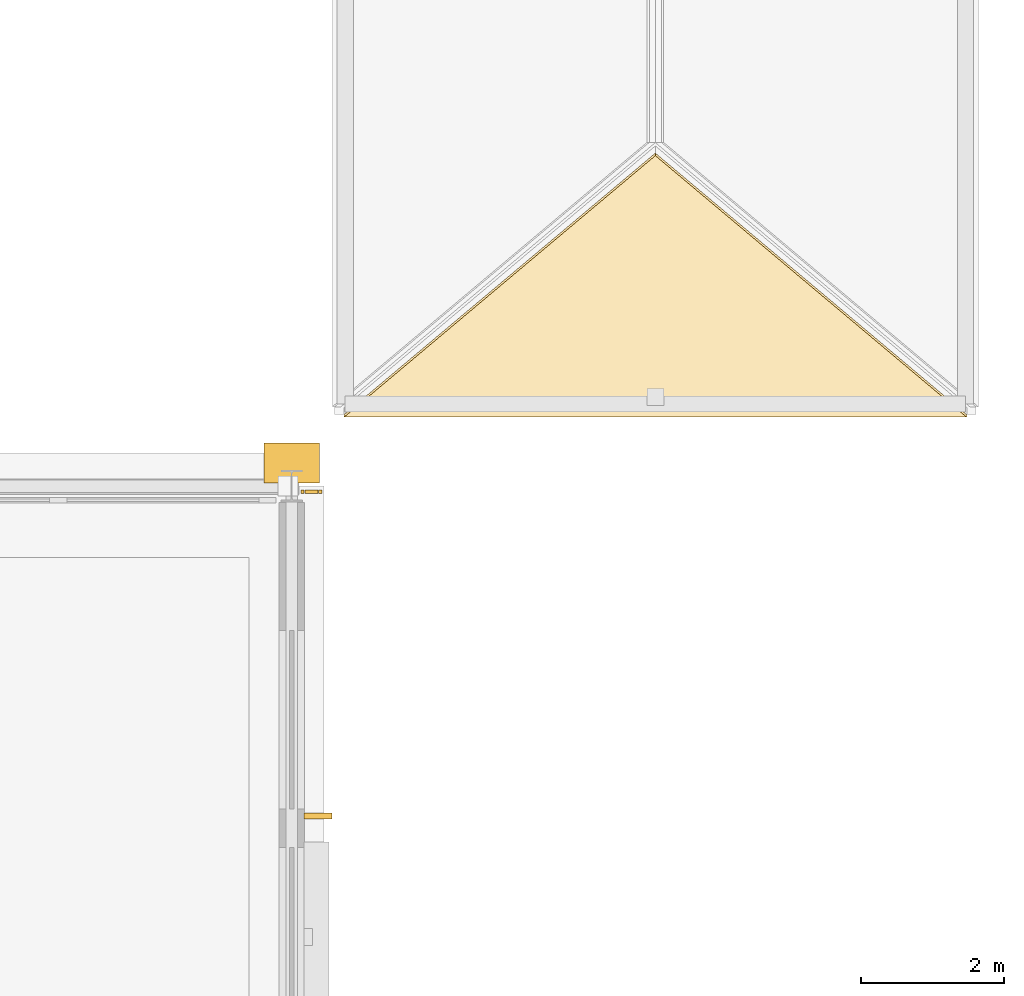
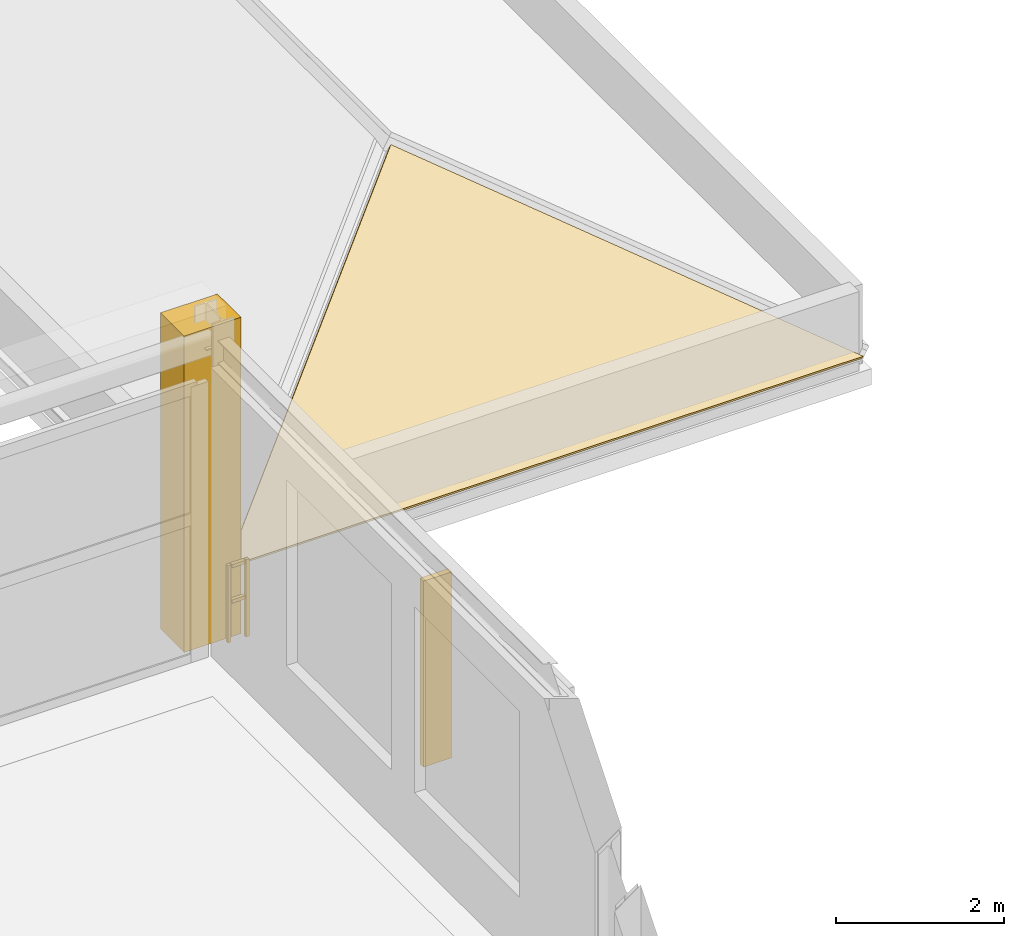
# One storey, part 117 of 125: 2 coverings, 1 railing, 1 shading device.
"""IFC4 building model written with IfcOpenShell, lengths in metres."""

from ifc_helpers import new_model, si_unit, direction, frame, origin, origin_2d, place, context, subcontext, project, spatial, polyline, rectangle, outline, extrude, material, layer, layer_set, type_object, element, save


model = new_model("IFC4")

# Units and contexts
model_context = context("Model", 3, precision=1e-05, world=origin(), true_north=direction((0.0, 1.0)))
body_context = subcontext(model_context, "Body", "Model", "MODEL_VIEW")
ifc_project = project(units=[si_unit("LENGTHUNIT", "METRE"), si_unit("AREAUNIT", "SQUARE_METRE"), si_unit("VOLUMEUNIT", "CUBIC_METRE"), si_unit("PLANEANGLEUNIT", "RADIAN"), si_unit("MASSUNIT", "GRAM", prefix="KILO")], contexts=[model_context])

# Site, building, storey
site_placement = place(None, origin())
site = spatial("IfcSite", under=ifc_project, at=site_placement, CompositionType="ELEMENT")
building_placement = place(site_placement, origin())
building = spatial("IfcBuilding", under=site, at=building_placement, Name="Myrtia Square Station", CompositionType="ELEMENT")
storey_placement = place(building_placement, frame((0.0, 0.0, 6.0)))
storey = spatial("IfcBuildingStorey", under=building, at=storey_placement, Name="L01", CompositionType="ELEMENT", Elevation=6.0)

# Coverings
ifc_material_1 = material(Name="Pentelic marble ashlar", Category="masonry")
ifc_layer_1 = layer(ifc_material_1, 0.4599609375, Name="Pentelic marble ashlar")
ifc_layer_set_1 = layer_set([ifc_layer_1], Name="Pentelic marble ashlar")
covering_type_1 = type_object("IfcCoveringType", Name="COV-ARCH-ASHLAR", PredefinedType="CLADDING", material=ifc_layer_set_1)
covering_1_placement = place(storey_placement, frame((179.39990234375, 38.719970703125, -0.0400390625), z_axis=(0.0, 0.0, 1.0), x_axis=(1.0, 0.0, 0.0)))
element("IfcCovering", 1, at=covering_1_placement, inside=storey, type_object=covering_type_1, Name="Classical Pentelic ashlar pilaster 050", PredefinedType="CLADDING", context=body_context, shape_type="SweptSolid", body=[
    extrude(rectangle(XDim=0.780029296875, YDim=0.56005859375, at=origin_2d()), origin(), (0.0, 0.0, 1.0), 4.590087890625),
])
ifc_material_2 = material(Name="Terracotta clay barrel tiles", Category="masonry")
ifc_layer_2 = layer(ifc_material_2, 0.06494140625, Name="Terracotta clay barrel tiles")
ifc_layer_set_2 = layer_set([ifc_layer_2], Name="Terracotta clay barrel tiles")
covering_type_2 = type_object("IfcCoveringType", Name="COV-TILE-TERRACOTTA", PredefinedType="ROOFING", material=ifc_layer_set_2)
covering_2_placement = place(storey_placement, frame((180.132080078125, 39.36474609375, 0.24658203125), z_axis=(0.0, -0.543605548136, 0.839340817568), x_axis=(1.0, 0.0, 0.0)))
element("IfcCovering", 2, at=covering_2_placement, inside=storey, type_object=covering_type_2, Name="Terracotta clay barrel-tile roofing 097", PredefinedType="ROOFING", context=body_context, shape_type="SweptSolid", body=[
    extrude(outline(polyline([(0.0, 0.0), (8.73583984375, 0.0), (4.367919921875, 4.371222316020496), (0.0, 0.0)])), origin(), (0.0, 0.0, -1.0), 0.06494140625),
])

# Railing
ifc_material_3 = material(Name="Wrought iron", Category="steel")
railing_type = type_object("IfcRailingType", Name="RL-INT-GUARD-1100", PredefinedType="BALUSTRADE", material=ifc_material_3)
railing_placement = place(storey_placement, frame((179.800048828125, 38.320068359375, 0.0)))
element("IfcRailing", 3, at=railing_placement, inside=storey, type_object=railing_type, Name="Perimeter slab edge balustrade L01-019", PredefinedType="BALUSTRADE", context=body_context, shape_type="SweptSolid", body=[
    extrude(rectangle(XDim=0.048095703125, YDim=0.048095703125, at=origin_2d()), frame((-0.03466796875, 0.0, 1.09619140625), z_axis=(-1.0, 0.0, 0.0), x_axis=(0.0, -1.0, 0.0)), (0.0, 0.0, 1.0), 0.1796875),
    extrude(rectangle(XDim=0.048095703125, YDim=0.048095703125, at=origin_2d()), frame((-0.03466796875, 0.0, 0.58251953125), z_axis=(-1.0, 0.0, 0.0), x_axis=(0.0, -1.0, 0.0)), (0.0, 0.0, 1.0), 0.1796875),
    extrude(rectangle(XDim=0.0439453125, YDim=0.0439453125, at=origin_2d()), origin(), (0.0, 0.0, 1.0), 1.1201171875),
    extrude(rectangle(XDim=0.0439453125, YDim=0.0439453125, at=origin_2d()), frame((-0.2490234375, 0.0, 0.0)), (0.0, 0.0, 1.0), 1.1201171875),
])

# Shading device
ifc_material_4 = material(Name="Dark bronze anodised aluminium", Category="aluminium")
shading_device_type = type_object("IfcShadingDeviceType", Name="SHD-FIN-BRONZE", PredefinedType="USERDEFINED", material=ifc_material_4)
shading_device_placement = place(storey_placement, frame((179.77001953125, 33.77294921875, 0.9501953125), z_axis=(0.0, 0.0, 1.0), x_axis=(0.0, 1.0, 0.0)))
element("IfcShadingDevice", 4, at=shading_device_placement, inside=storey, type_object=shading_device_type, Name="Vertical bronze solar fin SHF-030", ObjectType="FIN", PredefinedType="USERDEFINED", context=body_context, shape_type="SweptSolid", body=[
    extrude(rectangle(XDim=0.080078125, YDim=0.389892578125, at=origin_2d()), origin(), (0.0, 0.0, 1.0), 2.699951171875),
])

save(model, "model.ifc")
